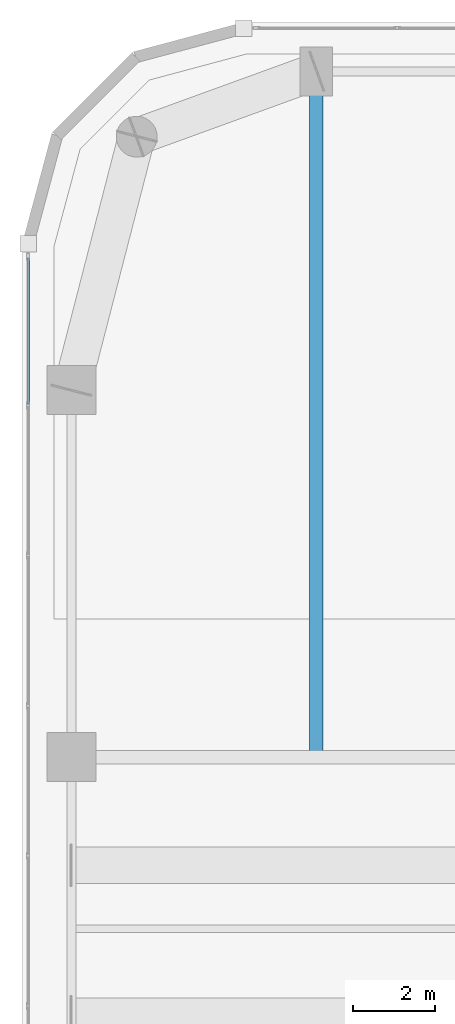
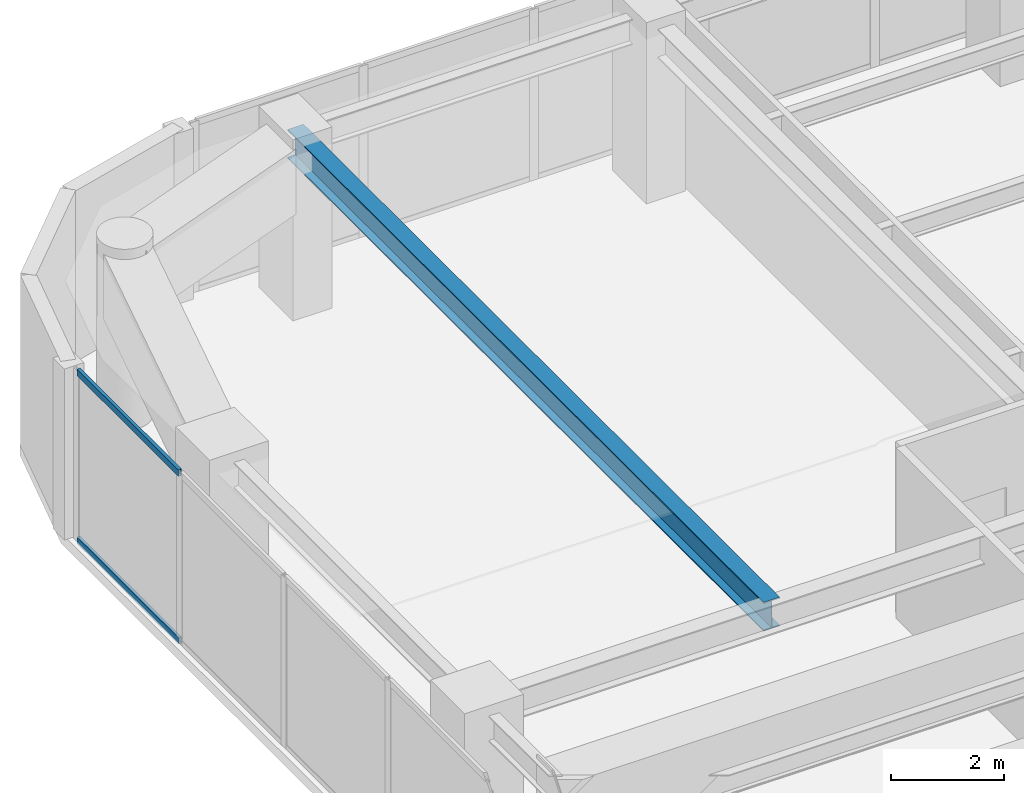
# One storey, part 14 of 30: 2 members, 1 beam, 1 element without a shape of its own.
"""IFC4 building model written with IfcOpenShell, lengths in metres."""

from ifc_helpers import new_model, si_unit, direction, frame, origin, origin_2d, place, context, subcontext, project, spatial, hollow_rectangle, i_section, extrude, material, layer, layer_set, material_profile, profile_set, type_object, element, aggregate, save


model = new_model("IFC4")

# Units and contexts
model_context = context("Model", 3, precision=1e-05, world=origin(), true_north=direction((0.0, 1.0)))
body_context = subcontext(model_context, "Body", "Model", "MODEL_VIEW")
ifc_project = project(units=[si_unit("LENGTHUNIT", "METRE"), si_unit("AREAUNIT", "SQUARE_METRE"), si_unit("VOLUMEUNIT", "CUBIC_METRE"), si_unit("PLANEANGLEUNIT", "RADIAN"), si_unit("MASSUNIT", "GRAM", prefix="KILO")], contexts=[model_context])

# Site, building, storey
site_placement = place(None, origin())
site = spatial("IfcSite", under=ifc_project, at=site_placement, CompositionType="ELEMENT")
building_placement = place(site_placement, origin())
building = spatial("IfcBuilding", under=site, at=building_placement, Name="Kiyonajd Concourse Tower", CompositionType="ELEMENT")
storey_placement = place(building_placement, frame((0.0, 0.0, 177.89990234375)))
storey = spatial("IfcBuildingStorey", under=building, at=storey_placement, Name="L45", CompositionType="ELEMENT", Elevation=177.89990234375)

# Beam
ifc_material_1 = material(Name="Steel ASTM A992 Grade 50", Category="steel")
ifc_material_profile_1 = material_profile(ifc_material_1, i_section(OverallWidth=0.326904296875, OverallDepth=0.6220703125, WebThickness=0.015380859375, FlangeThickness=0.0244140625, at=origin_2d()), Name="W610X195")
ifc_profile_set_1 = profile_set([ifc_material_profile_1], Name="Steel ASTM A992 Grade 50")
beam_type = type_object("IfcBeamType", Name="BM-TWR-610A", PredefinedType="BEAM", material=ifc_profile_set_1)
beam_placement = place(storey_placement, frame((25.199951171875, 44.39990234375, 3.369140625), z_axis=(0.0, 1.0, 0.0), x_axis=(-1.0, 0.0, 0.0)))
element("IfcBeam", 1, at=beam_placement, inside=storey, type_object=beam_type, Name="L45 North Lease Girder", PredefinedType="BEAM", context=body_context, shape_type="SweptSolid", body=[
    extrude(i_section(OverallWidth=0.326904296875, OverallDepth=0.6220703125, WebThickness=0.015380859375, FlangeThickness=0.0244140625, at=origin_2d()), origin(), (0.0, 0.0, 1.0), 16.800048828125),
])

# Curtain wall, members
ifc_material_2 = material(Name="Thermally Broken Anodised Aluminium", Category="aluminium")
ifc_layer = layer(ifc_material_2, 0.179931640625)
ifc_layer_set = layer_set([ifc_layer], Name="Thermally Broken Anodised Aluminium")
curtain_wall_type = type_object("IfcCurtainWallType", Name="CW-SYS-03", PredefinedType="NOTDEFINED", material=ifc_layer_set)
curtain_wall_placement = place(storey_placement, origin())
curtain_wall = element("IfcCurtainWall", 2, at=curtain_wall_placement, inside=storey, type_object=curtain_wall_type, Name="L45 Unitised Curtain Wall CW3", PredefinedType="NOTDEFINED")
ifc_material_profile_2 = material_profile(ifc_material_2, hollow_rectangle(XDim=0.06494140625, YDim=0.139892578125, WallThickness=0.00390625, at=origin_2d()), Name="TRAN-65x140")
ifc_profile_set_2 = profile_set([ifc_material_profile_2], Name="Thermally Broken Anodised Aluminium")
member_type = type_object("IfcMemberType", Name="MB-CW-TRAN1", PredefinedType="USERDEFINED", material=ifc_profile_set_2)
member_1_placement = place(storey_placement, frame((18.139892578125, 53.047119140625, 0.03271484375), z_axis=(0.0, 1.0, 0.0), x_axis=(-1.0, 0.0, 0.0)))
member_1 = element("IfcMember", 3, at=member_1_placement, type_object=member_type, Name="CW3 transom 6.1", ObjectType="TRANSOM", PredefinedType="USERDEFINED", context=body_context, shape_type="SweptSolid", body=[
    extrude(hollow_rectangle(XDim=0.06494140625, YDim=0.139892578125, WallThickness=0.00390625, at=origin_2d()), origin(), (0.0, 0.0, 1.0), 3.57958984375),
])
member_2_placement = place(storey_placement, frame((18.139892578125, 53.047119140625, 3.647705078125), z_axis=(0.0, 1.0, 0.0), x_axis=(-1.0, 0.0, 0.0)))
member_2 = element("IfcMember", 4, at=member_2_placement, type_object=member_type, Name="CW3 transom 6.2", ObjectType="TRANSOM", PredefinedType="USERDEFINED", context=body_context, shape_type="SweptSolid", body=[
    extrude(hollow_rectangle(XDim=0.06494140625, YDim=0.139892578125, WallThickness=0.00390625, at=origin_2d()), origin(), (0.0, 0.0, 1.0), 3.57958984375),
])
aggregate(curtain_wall, [member_1, member_2])

save(model, "model.ifc")
